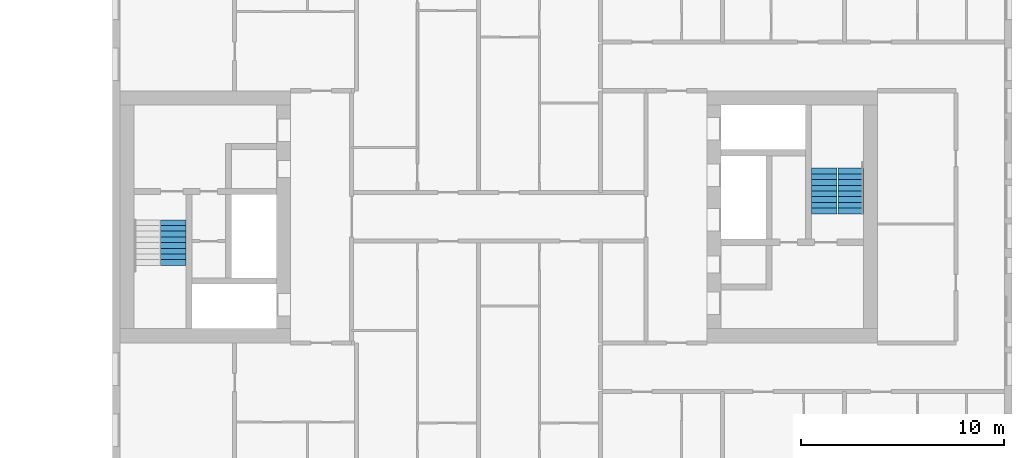
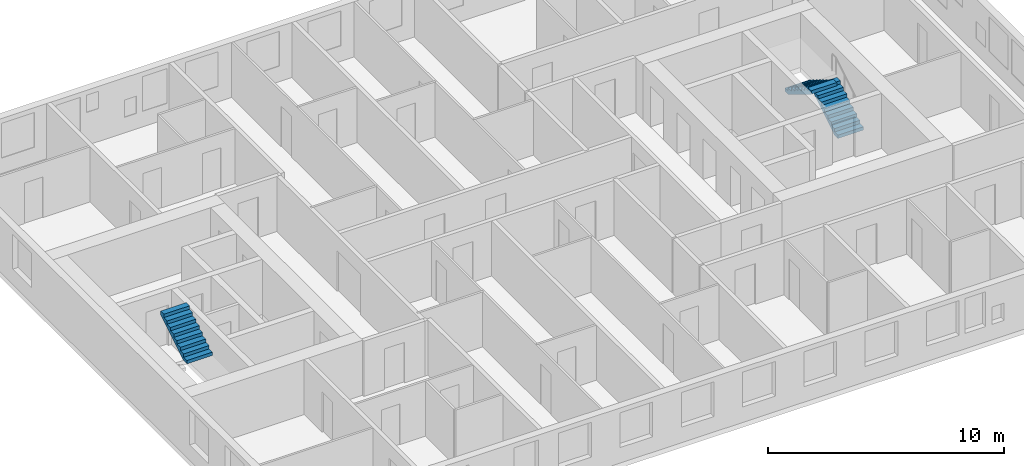
# One storey, part 15 of 17: 3 stair flights, 2 elements without a shape of their own.
"""IFC4 building model written with IfcOpenShell, lengths in metres."""

from ifc_helpers import new_model, si_unit, direction, frame, origin, place, context, subcontext, project, spatial, polyline, outline, extrude, material, type_object, element, aggregate, save


model = new_model("IFC4")

# Units and contexts
model_context = context("Model", 3, precision=1e-05, world=origin(), true_north=direction((0.0, 1.0)))
body_context = subcontext(model_context, "Body", "Model", "MODEL_VIEW")
ifc_project = project(units=[si_unit("LENGTHUNIT", "METRE"), si_unit("AREAUNIT", "SQUARE_METRE"), si_unit("VOLUMEUNIT", "CUBIC_METRE"), si_unit("PLANEANGLEUNIT", "RADIAN"), si_unit("MASSUNIT", "GRAM", prefix="KILO")], contexts=[model_context])

# Site, building, storey
site_placement = place(None, origin())
site = spatial("IfcSite", under=ifc_project, at=site_placement, CompositionType="ELEMENT")
building_placement = place(site_placement, origin())
building = spatial("IfcBuilding", under=site, at=building_placement, Name="Tuart Gate Housing", CompositionType="ELEMENT")
storey_placement = place(building_placement, frame((0.0, 0.0, 74.699951171875)))
storey = spatial("IfcBuildingStorey", under=building, at=storey_placement, Name="L20", CompositionType="ELEMENT", Elevation=74.699951171875)

# Stair, stair flight
ifc_material_1 = material(Name="Concrete C40", Category="concrete")
stair_type = type_object("IfcStairType", Name="Core stair 1250", PredefinedType="HALF_TURN_STAIR", material=ifc_material_1)
stair_1_placement = place(storey_placement, origin())
stair_1 = element("IfcStair", 1, at=stair_1_placement, inside=storey, type_object=stair_type, Name="Stair SB1", PredefinedType="HALF_TURN_STAIR")
ifc_material_2 = material(Name="Concrete C40", Category="concrete")
stair_flight_type = type_object("IfcStairFlightType", Name="Stair flight 1250, 9 risers 172 x 280", PredefinedType="STRAIGHT", material=ifc_material_2)
stair_flight_1_placement = place(storey_placement, frame((133.985107421875, 67.610107421875, 1.550048828125), z_axis=(0.0, 0.0, 1.0), x_axis=(0.0, 1.0, 0.0)))
stair_flight_1 = element("IfcStairFlight", 2, at=stair_flight_1_placement, type_object=stair_flight_type, Name="SB1 flight 2", NumberOfRisers=9, NumberOfTreads=8, PredefinedType="STRAIGHT", RiserHeight=0.172222222, TreadLength=0.28, context=body_context, shape_type="SweptSolid", body=[
    extrude(outline(polyline([(0.0, 0.0), (0.0, 0.172119140625), (0.280029296875, 0.172119140625), (0.280029296875, 0.344482421875), (0.56005859375, 0.344482421875), (0.56005859375, 0.5166015625), (0.840087890625, 0.5166015625), (0.840087890625, 0.68896484375), (1.1201171875, 0.68896484375), (1.1201171875, 0.861083984375), (1.39990234375, 0.861083984375), (1.39990234375, 1.033447265625), (1.679931640625, 1.033447265625), (1.679931640625, 1.20556640625), (1.9599609375, 1.20556640625), (1.9599609375, 1.377685546875), (2.239990234375, 1.377685546875), (2.239990234375, 1.550048828125), (2.239990234375, 1.201904296875), (0.2861328125, 0.0), (0.0, 0.0)])), frame((0.0, 0.625, 0.0), z_axis=(0.0, -1.0, 0.0), x_axis=(1.0, 0.0, 0.0)), (0.0, 0.0, 1.0), 1.25),
])
aggregate(stair_1, [stair_flight_1])

# Stair, stair flights
stair_2_placement = place(storey_placement, origin())
stair_2 = element("IfcStair", 3, at=stair_2_placement, inside=storey, type_object=stair_type, Name="Stair SB2", PredefinedType="HALF_TURN_STAIR")
stair_flight_2_placement = place(storey_placement, frame((167.31494140625, 70.14990234375, 0.0), z_axis=(0.0, 0.0, 1.0), x_axis=(0.0, 1.0, 0.0)))
stair_flight_2 = element("IfcStairFlight", 4, at=stair_flight_2_placement, type_object=stair_flight_type, Name="SB2 flight 1", NumberOfRisers=9, NumberOfTreads=8, PredefinedType="STRAIGHT", RiserHeight=0.172222222, TreadLength=0.28, context=body_context, shape_type="SweptSolid", body=[
    extrude(outline(polyline([(0.0, 0.0), (0.0, 0.172119140625), (0.280029296875, 0.172119140625), (0.280029296875, 0.344482421875), (0.56005859375, 0.344482421875), (0.56005859375, 0.5166015625), (0.840087890625, 0.5166015625), (0.840087890625, 0.68896484375), (1.1201171875, 0.68896484375), (1.1201171875, 0.861083984375), (1.39990234375, 0.861083984375), (1.39990234375, 1.033447265625), (1.679931640625, 1.033447265625), (1.679931640625, 1.20556640625), (1.9599609375, 1.20556640625), (1.9599609375, 1.377685546875), (2.239990234375, 1.377685546875), (2.239990234375, 1.550048828125), (2.239990234375, 1.201904296875), (0.2861328125, 0.0), (0.0, 0.0)])), frame((0.0, 0.625, 0.0), z_axis=(0.0, -1.0, 0.0), x_axis=(1.0, 0.0, 0.0)), (0.0, 0.0, 1.0), 1.25),
])
stair_flight_3_placement = place(storey_placement, frame((166.014892578125, 72.389892578125, 1.550048828125), z_axis=(0.0, 0.0, 1.0), x_axis=(0.0, -1.0, 0.0)))
stair_flight_3 = element("IfcStairFlight", 5, at=stair_flight_3_placement, type_object=stair_flight_type, Name="SB2 flight 2", NumberOfRisers=9, NumberOfTreads=8, PredefinedType="STRAIGHT", RiserHeight=0.172222222, TreadLength=0.28, context=body_context, shape_type="SweptSolid", body=[
    extrude(outline(polyline([(0.0, 0.0), (0.0, 0.172119140625), (0.280029296875, 0.172119140625), (0.280029296875, 0.344482421875), (0.56005859375, 0.344482421875), (0.56005859375, 0.5166015625), (0.840087890625, 0.5166015625), (0.840087890625, 0.68896484375), (1.1201171875, 0.68896484375), (1.1201171875, 0.861083984375), (1.39990234375, 0.861083984375), (1.39990234375, 1.033447265625), (1.679931640625, 1.033447265625), (1.679931640625, 1.20556640625), (1.9599609375, 1.20556640625), (1.9599609375, 1.377685546875), (2.239990234375, 1.377685546875), (2.239990234375, 1.550048828125), (2.239990234375, 1.201904296875), (0.2861328125, 0.0), (0.0, 0.0)])), frame((0.0, 0.625, 0.0), z_axis=(0.0, -1.0, 0.0), x_axis=(1.0, 0.0, 0.0)), (0.0, 0.0, 1.0), 1.25),
])
aggregate(stair_2, [stair_flight_2, stair_flight_3])

save(model, "model.ifc")
